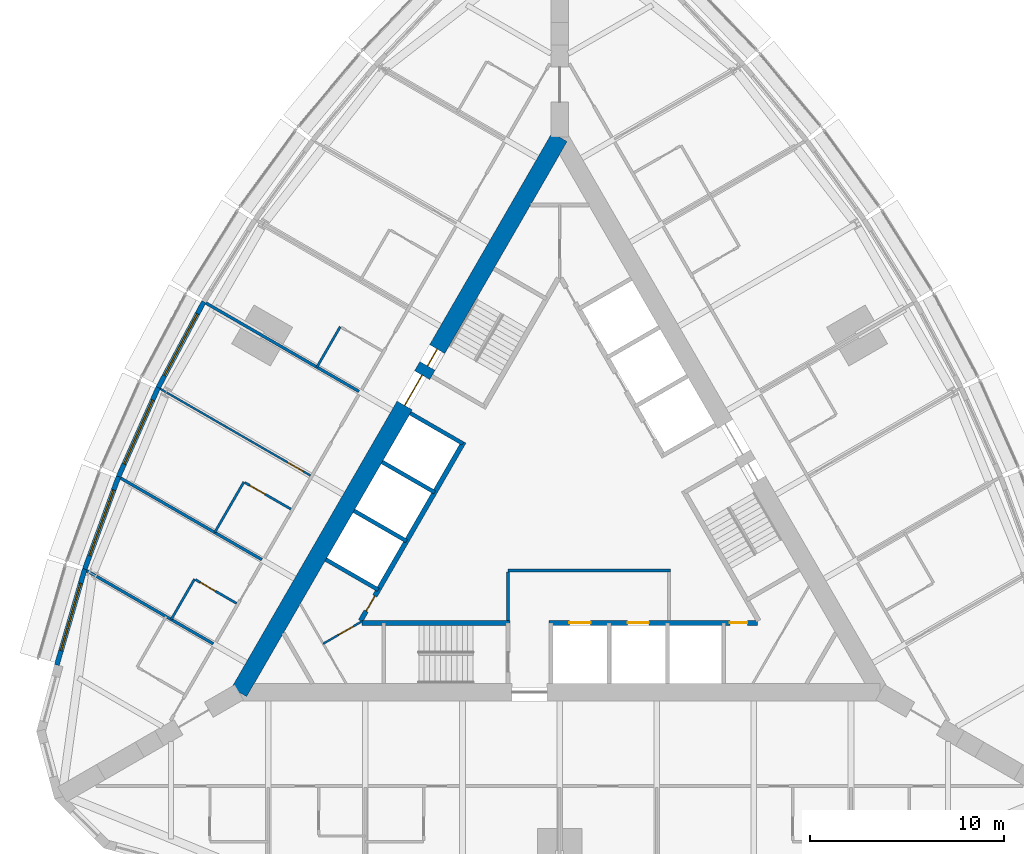
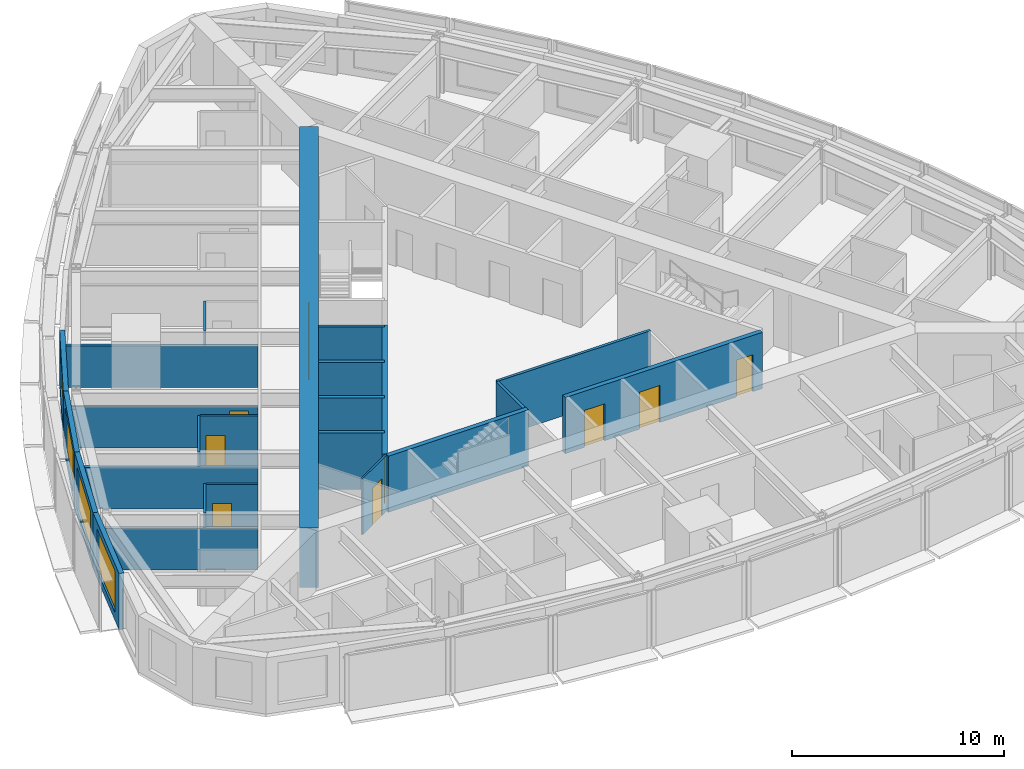
# One storey, part 9 of 14: 24 walls, 10 doors, 4 windows, 14 openings.
"""IFC4 building model written with IfcOpenShell, lengths in metres."""

import ifcopenshell
import ifcopenshell.guid

model = None  # the IFC model being written
_history = None  # IfcOwnerHistory: only IFC2X3 demands one
_inside = {}  # id of a spatial element -> (the spatial element, [elements in it])
_under = {}  # id of a project, library or spatial element -> (it, [spatial elements below it])
_declared = {}  # id of a project -> (the project, [libraries it declares])
_typed = {}  # id of a type object -> (the type object, [elements of that type])
_made_of = {}  # id of a material, layer set ... -> (it, [elements and type objects made of it])


def new_model(schema):
    """Start an empty IFC model of exactly this schema.

    Asked for "IFC4X3", IfcOpenShell would pick the latest addendum, in which some entities
    have other attributes; the version numbers below select the first issue.
    IFC2X3 requires an IfcOwnerHistory on every rooted entity: one is made here for all.
    """
    global model, _history
    if schema == "IFC4X3":
        model = ifcopenshell.file(schema_version=(4, 3, 0, 0))
    else:
        model = ifcopenshell.file(schema=schema)
    _inside.clear()
    _under.clear()
    _declared.clear()
    _typed.clear()
    _made_of.clear()
    _history = None
    if model.schema == "IFC2X3":
        org = make("IfcOrganization", Name="unknown")
        user = make(
            "IfcPersonAndOrganization",
            ThePerson=make("IfcPerson", FamilyName="unknown"),
            TheOrganization=org,
        )
        app = make(
            "IfcApplication",
            ApplicationDeveloper=org,
            Version="unknown",
            ApplicationFullName="unknown",
            ApplicationIdentifier="unknown",
        )
        _history = make(
            "IfcOwnerHistory",
            OwningUser=user,
            OwningApplication=app,
            ChangeAction="ADDED",
            CreationDate=0,
        )
    return model


def make(cls, **values):
    """One entity of the class cls with the attributes given. An attribute that is None is left unset."""
    return model.create_entity(
        cls, **{name: value for name, value in values.items() if value is not None}
    )


def rooted(cls, **values):
    """An entity with a GlobalId (a new one), such as an element, a storey or a relation."""
    return make(cls, GlobalId=ifcopenshell.guid.new(), OwnerHistory=_history, **values)


def si_unit(unit_type, name, prefix=None):
    """IfcSIUnit, for example si_unit("LENGTHUNIT", "METRE", prefix="MILLI")."""
    return make("IfcSIUnit", UnitType=unit_type, Prefix=prefix, Name=name)


def assignment(units):
    """IfcUnitAssignment: the units of a project."""
    return None if units is None else make("IfcUnitAssignment", Units=units)


def point(xyz):
    """IfcCartesianPoint."""
    return None if xyz is None else make("IfcCartesianPoint", Coordinates=xyz)


def direction(xyz):
    """IfcDirection."""
    return None if xyz is None else make("IfcDirection", DirectionRatios=xyz)


def frame(location, z_axis=None, x_axis=None):
    """IfcAxis2Placement3D, a coordinate frame: its origin and axes. An axis left out is left unset."""
    return make(
        "IfcAxis2Placement3D",
        Location=point(location),
        Axis=direction(z_axis),
        RefDirection=direction(x_axis),
    )


def frame_2d(location, x_axis=None):
    """IfcAxis2Placement2D, a coordinate frame in the plane: its origin and x axis."""
    return make(
        "IfcAxis2Placement2D", Location=point(location), RefDirection=direction(x_axis)
    )


def origin():
    """The frame at (0, 0, 0) with its axes left unset."""
    return frame((0.0, 0.0, 0.0))


def place(relative_to, where):
    """IfcLocalPlacement: puts the frame where relative to a parent placement (None: the world)."""
    return make(
        "IfcLocalPlacement", PlacementRelTo=relative_to, RelativePlacement=where
    )


def context(
    kind, dimensions, precision=None, world=None, true_north=None, identifier=None
):
    """IfcGeometricRepresentationContext, for example the 3D "Model" context."""
    return make(
        "IfcGeometricRepresentationContext",
        ContextIdentifier=identifier,
        ContextType=kind,
        CoordinateSpaceDimension=dimensions,
        Precision=precision,
        WorldCoordinateSystem=world,
        TrueNorth=true_north,
    )


def subcontext(parent, identifier, kind, view, scale=None):
    """IfcGeometricRepresentationSubContext, for example "Body" below "Model"."""
    return make(
        "IfcGeometricRepresentationSubContext",
        ContextIdentifier=identifier,
        ContextType=kind,
        ParentContext=parent,
        TargetScale=scale,
        TargetView=view,
    )


def project(units=None, contexts=None):
    """IfcProject with its units and contexts."""
    return rooted(
        "IfcProject",
        Name="project",
        RepresentationContexts=contexts,
        UnitsInContext=assignment(units),
    )


def spatial(cls, under=None, at=None, **own):
    """A site, building, storey or space (cls), placed at a placement, below another one or the project."""
    s = rooted(cls, ObjectPlacement=at, **own)
    if under is not None:
        _under.setdefault(under.id(), (under, []))[1].append(s)
    return s


def profile(cls, at=None, kind="AREA", **sizes):
    """A parametric profile (cls). Its sizes go by their IFC names, for example OverallWidth=200.0."""
    return make(cls, ProfileType=kind, Position=at, **sizes)


def rectangle(**sizes):
    """IfcRectangleProfileDef."""
    return profile("IfcRectangleProfileDef", **sizes)


def extrude(swept, where, along, depth):
    """IfcExtrudedAreaSolid: the profile swept, set in the frame where, extruded along a direction by depth."""
    return make(
        "IfcExtrudedAreaSolid",
        SweptArea=swept,
        Position=where,
        ExtrudedDirection=direction(along),
        Depth=depth,
    )


def shape(context_of_items, identifier, shape_type, items):
    """IfcShapeRepresentation: the items that make up one representation, for example the "Body"."""
    return make(
        "IfcShapeRepresentation",
        ContextOfItems=context_of_items,
        RepresentationIdentifier=identifier,
        RepresentationType=shape_type,
        Items=items,
    )


def material(Name=None, Category=None):
    """IfcMaterial."""
    return make("IfcMaterial", Name=Name, Category=Category)


def layer(
    of_material, thickness, ventilated=None, Name=None, Category=None, Priority=None
):
    """IfcMaterialLayer: one layer of a wall or slab, of a material (None: an air gap)."""
    return make(
        "IfcMaterialLayer",
        Material=of_material,
        LayerThickness=thickness,
        IsVentilated=ventilated,
        Name=Name,
        Category=Category,
        Priority=Priority,
    )


def layer_set(layers, Name=None):
    """IfcMaterialLayerSet."""
    return make("IfcMaterialLayerSet", MaterialLayers=layers, LayerSetName=Name)


def made_of(thing, what):
    """Note that an element or type object is made of a material, layer set ...; save() writes the relation."""
    if what is not None:
        _made_of.setdefault(what.id(), (what, []))[1].append(thing)
    return thing


def type_object(cls, material=None, **own):
    """A type object (cls), such as IfcWallType, which elements share."""
    return made_of(rooted(cls, **own), material)


def element(
    cls,
    number,
    at=None,
    inside=None,
    cuts=None,
    type_object=None,
    material=None,
    context=None,
    identifier="Body",
    shape_type=None,
    held_by="IfcProductDefinitionShape",
    body=None,
    shapes=None,
    **own,
):
    """One element of the class cls, such as IfcWall. Its Tag is "e" and its number.

    at: its placement. inside: the storey or other place that contains it. cuts: it is an
    opening in that element (IfcRelVoidsElement). A single representation is given by context,
    identifier, shape_type and body (its items); several are given by shapes. held_by: the class
    of the entity that holds the representations. save() writes the other relations.
    """
    e = rooted(cls, Tag="e%d" % number, ObjectPlacement=at, **own)
    if body is not None:
        shapes = [shape(context, identifier, shape_type, body)]
    if shapes is not None:
        e.Representation = make(held_by, Representations=shapes)
    if inside is not None:
        _inside.setdefault(inside.id(), (inside, []))[1].append(e)
    if cuts is not None:
        rooted(
            "IfcRelVoidsElement", RelatingBuildingElement=cuts, RelatedOpeningElement=e
        )
    if type_object is not None:
        _typed.setdefault(type_object.id(), (type_object, []))[1].append(e)
    return made_of(e, material)


def fill(opening, filler):
    """IfcRelFillsElement: the door or window that sits in an opening."""
    return rooted(
        "IfcRelFillsElement",
        RelatingOpeningElement=opening,
        RelatedBuildingElement=filler,
    )


def aggregate(whole, parts):
    """IfcRelAggregates: a whole, such as a stair, and the parts it consists of."""
    return rooted("IfcRelAggregates", RelatingObject=whole, RelatedObjects=parts)


def save(model, path):
    """Write the relations noted so far, then the file.

    IfcRelAggregates (storeys below a building ...), IfcRelContainedInSpatialStructure (elements
    in a storey), IfcRelDefinesByType, IfcRelAssociatesMaterial and IfcRelDeclares: one each for
    every whole, place, type object, material and project.
    """
    for whole, parts in _under.values():
        aggregate(whole, parts)
    for where, things in _inside.values():
        rooted(
            "IfcRelContainedInSpatialStructure",
            RelatedElements=things,
            RelatingStructure=where,
        )
    for kind, things in _typed.values():
        rooted("IfcRelDefinesByType", RelatedObjects=things, RelatingType=kind)
    for what, things in _made_of.values():
        rooted("IfcRelAssociatesMaterial", RelatedObjects=things, RelatingMaterial=what)
    for by, libraries in _declared.values():
        rooted("IfcRelDeclares", RelatingContext=by, RelatedDefinitions=libraries)
    model.write(path)


model = new_model("IFC4")

# Units and contexts
model_context = context("Model", 3, precision=1e-05, world=origin(), true_north=direction((0.0, 1.0)))
body_context = subcontext(model_context, "Body", "Model", "MODEL_VIEW")
ifc_project = project(units=[si_unit("LENGTHUNIT", "METRE"), si_unit("AREAUNIT", "SQUARE_METRE"), si_unit("VOLUMEUNIT", "CUBIC_METRE"), si_unit("PLANEANGLEUNIT", "RADIAN"), si_unit("MASSUNIT", "GRAM", prefix="KILO")], contexts=[model_context])

# Site, building, storey
site_placement = place(None, origin())
site = spatial("IfcSite", under=ifc_project, at=site_placement, CompositionType="ELEMENT")
building_placement = place(site_placement, origin())
building = spatial("IfcBuilding", under=site, at=building_placement, Name="Trikona Tower", CompositionType="ELEMENT")
storey_placement = place(building_placement, frame((0.0, 0.0, 179.300048828125)))
storey = spatial("IfcBuildingStorey", under=building, at=storey_placement, Name="L48", CompositionType="ELEMENT", Elevation=179.300048828125)

# Walls
ifc_material_1 = material(Name="Metal stud and cement board", Category="gypsum")
ifc_layer_1 = layer(ifc_material_1, 0.1201171875)
ifc_layer_set_1 = layer_set([ifc_layer_1], Name="Bathroom wall 120")
wall_type_1 = type_object("IfcWallType", Name="Bathroom wall 120", PredefinedType="PLUMBINGWALL", material=ifc_layer_set_1)
wall_1_placement = place(storey_placement, frame((-11.29345703125, 9.29150390625, 0.0), z_axis=(0.0, 0.0, 1.0), x_axis=(-0.500001309137, -0.866024647952, 0.0)))
element("IfcWall", 1, at=wall_1_placement, inside=storey, type_object=wall_type_1, Name="Bathroom wall 4812", PredefinedType="PLUMBINGWALL", context=body_context, shape_type="SweptSolid", body=[
    extrude(rectangle(XDim=2.39990234375, YDim=0.1201171875, at=frame_2d((1.199951171875, 0.0))), origin(), (0.0, 0.0, 1.0), 3.23486328125),
])
wall_2_placement = place(storey_placement, frame((-16.25341796875, 1.301025390625, 0.0), z_axis=(0.0, 0.0, 1.0), x_axis=(-0.499990139034, -0.866031096941, 0.0)))
element("IfcWall", 2, at=wall_2_placement, inside=storey, type_object=wall_type_1, Name="Bathroom wall 4813.1", PredefinedType="PLUMBINGWALL", context=body_context, shape_type="SweptSolid", body=[
    extrude(rectangle(XDim=3.0, YDim=0.1201171875, at=frame_2d((1.5, 0.0))), origin(), (0.0, 0.0, 1.0), 3.23486328125),
])

# Wall, opening, door
wall_3_placement = place(storey_placement, frame((-13.82861328125, -0.09912109375, 0.0), z_axis=(0.0, 0.0, 1.0), x_axis=(-0.865997131366, 0.500048966069, 0.0)))
wall_3 = element("IfcWall", 3, at=wall_3_placement, inside=storey, type_object=wall_type_1, Name="Bathroom wall 4813.1", PredefinedType="PLUMBINGWALL", context=body_context, shape_type="SweptSolid", body=[
    extrude(rectangle(XDim=2.739990234375, YDim=0.1201171875, at=frame_2d((1.3701171875, 0.0))), origin(), (0.0, 0.0, 1.0), 3.23486328125),
])
opening_1_placement = place(wall_3_placement, frame((1.550048828125, 0.0, 0.0)))
opening_1 = element("IfcOpeningElement", 4, at=opening_1_placement, cuts=wall_3, Name="Opening D2", PredefinedType="OPENING", context=body_context, shape_type="SweptSolid", body=[
    extrude(rectangle(XDim=0.89990234375, YDim=2.1298828125, at=frame_2d((0.449951171875, 1.06494140625))), frame((0.0, 0.070068359375, 0.0), z_axis=(0.0, -1.0, 0.0), x_axis=(1.0, 0.0, 0.0)), (0.0, 0.0, 1.0), 0.14013671875),
])
ifc_material_2 = material(Name="Steel door frame with solid-core timber leaf", Category="steel")
door_type_1 = type_object("IfcDoorType", Name="Bathroom door 900x2130", OperationType="SLIDING_TO_LEFT", PredefinedType="DOOR", material=ifc_material_2)
door_1_placement = place(opening_1_placement, origin())
door_1 = element("IfcDoor", 5, at=door_1_placement, inside=storey, type_object=door_type_1, Name="Bathroom door 4813.1", OperationType="SLIDING_TO_LEFT", OverallHeight=2.1298828125, OverallWidth=0.89990234375, PredefinedType="DOOR", context=body_context, shape_type="SweptSolid", body=[
    extrude(rectangle(XDim=0.89990234375, YDim=2.1298828125, at=frame_2d((0.449951171875, 1.06494140625))), frame((0.0, 0.02490234375, 0.0), z_axis=(0.0, -1.0, 0.0), x_axis=(1.0, 0.0, 0.0)), (0.0, 0.0, 1.0), 0.050048828125),
])
fill(opening_1, door_1)

# Wall
wall_4_placement = place(storey_placement, frame((-18.79345703125, -3.69873046875, 0.0), z_axis=(0.0, 0.0, 1.0), x_axis=(-0.500001309137, -0.866024647952, 0.0)))
element("IfcWall", 6, at=wall_4_placement, inside=storey, type_object=wall_type_1, Name="Bathroom wall 4814", PredefinedType="PLUMBINGWALL", context=body_context, shape_type="SweptSolid", body=[
    extrude(rectangle(XDim=2.39990234375, YDim=0.1201171875, at=frame_2d((1.199951171875, 0.0))), origin(), (0.0, 0.0, 1.0), 3.23486328125),
])

# Wall, opening, door
wall_5_placement = place(storey_placement, frame((-16.62841796875, -4.94873046875, 0.0), z_axis=(0.0, 0.0, 1.0), x_axis=(-0.866048967903, 0.499959183527, 0.0)))
wall_5 = element("IfcWall", 7, at=wall_5_placement, inside=storey, type_object=wall_type_1, Name="Bathroom wall 4814", PredefinedType="PLUMBINGWALL", context=body_context, shape_type="SweptSolid", body=[
    extrude(rectangle(XDim=2.440185546875, YDim=0.1201171875, at=frame_2d((1.22021484375, 0.0))), origin(), (0.0, 0.0, 1.0), 3.23486328125),
])
opening_2_placement = place(wall_5_placement, frame((1.25, 0.0, 0.0)))
opening_2 = element("IfcOpeningElement", 8, at=opening_2_placement, cuts=wall_5, Name="Opening D2", PredefinedType="OPENING", context=body_context, shape_type="SweptSolid", body=[
    extrude(rectangle(XDim=0.89990234375, YDim=2.1298828125, at=frame_2d((0.449951171875, 1.06494140625))), frame((0.0, 0.070068359375, 0.0), z_axis=(0.0, -1.0, 0.0), x_axis=(1.0, 0.0, 0.0)), (0.0, 0.0, 1.0), 0.14013671875),
])
door_2_placement = place(opening_2_placement, origin())
door_2 = element("IfcDoor", 9, at=door_2_placement, inside=storey, type_object=door_type_1, Name="Bathroom door 4814", OperationType="SLIDING_TO_LEFT", OverallHeight=2.1298828125, OverallWidth=0.89990234375, PredefinedType="DOOR", context=body_context, shape_type="SweptSolid", body=[
    extrude(rectangle(XDim=0.89990234375, YDim=2.1298828125, at=frame_2d((0.449951171875, 1.06494140625))), frame((0.0, 0.02490234375, 0.0), z_axis=(0.0, -1.0, 0.0), x_axis=(1.0, 0.0, 0.0)), (0.0, 0.0, 1.0), 0.050048828125),
])
fill(opening_2, door_2)

# Wall, openings, doors
ifc_material_3 = material(Name="Concrete f'c 10000 psi", Category="concrete")
ifc_layer_2 = layer(ifc_material_3, 0.89990234375)
ifc_layer_set_2 = layer_set([ifc_layer_2], Name="Core wall 900")
wall_type_2 = type_object("IfcWallType", Name="Core wall 900", PredefinedType="SHEAR", material=ifc_layer_set_2)
wall_6_placement = place(storey_placement, frame((0.0, 19.052490234375, 0.0), z_axis=(0.0, 0.0, 1.0), x_axis=(-0.499999749417, -0.866025548458, 0.0)))
wall_6 = element("IfcWall", 10, at=wall_6_placement, inside=storey, type_object=wall_type_2, Name="Core wall C", PredefinedType="SHEAR", context=body_context, shape_type="SweptSolid", body=[
    extrude(rectangle(XDim=33.0, YDim=0.89990234375, at=frame_2d((16.5, 0.0))), origin(), (0.0, 0.0, 1.0), 3.39990234375),
])
opening_3_placement = place(wall_6_placement, frame((14.14990234375, 0.0, 0.0)))
opening_3 = element("IfcOpeningElement", 11, at=opening_3_placement, cuts=wall_6, Name="Opening D6", PredefinedType="OPENING", context=body_context, shape_type="SweptSolid", body=[
    extrude(rectangle(XDim=1.800048828125, YDim=2.1298828125, at=frame_2d((0.89990234375, 1.06494140625))), frame((0.0, 0.4599609375, 0.0), z_axis=(0.0, -1.0, 0.0), x_axis=(1.0, 0.0, 0.0)), (0.0, 0.0, 1.0), 0.919921875),
])
opening_4_placement = place(wall_6_placement, frame((12.60009765625, 0.0, 0.0)))
opening_4 = element("IfcOpeningElement", 12, at=opening_4_placement, cuts=wall_6, Name="Opening D5", PredefinedType="OPENING", context=body_context, shape_type="SweptSolid", body=[
    extrude(rectangle(XDim=1.0, YDim=2.1298828125, at=frame_2d((0.5, 1.06494140625))), frame((0.0, 0.4599609375, 0.0), z_axis=(0.0, -1.0, 0.0), x_axis=(1.0, 0.0, 0.0)), (0.0, 0.0, 1.0), 0.919921875),
])
ifc_material_4 = material(Name="Hollow metal door and frame", Category="steel")
door_type_2 = type_object("IfcDoorType", Name="Lobby door pair 1800x2130", OperationType="DOUBLE_DOOR_SINGLE_SWING", PredefinedType="DOOR", material=ifc_material_4)
door_3_placement = place(opening_3_placement, origin())
door_3 = element("IfcDoor", 13, at=door_3_placement, inside=storey, type_object=door_type_2, Name="Lift lobby door C", OperationType="DOUBLE_DOOR_SINGLE_SWING", OverallHeight=2.1298828125, OverallWidth=1.800048828125, PredefinedType="DOOR", context=body_context, shape_type="SweptSolid", body=[
    extrude(rectangle(XDim=1.800048828125, YDim=2.1298828125, at=frame_2d((0.89990234375, 1.06494140625))), frame((0.0, 0.02490234375, 0.0), z_axis=(0.0, -1.0, 0.0), x_axis=(1.0, 0.0, 0.0)), (0.0, 0.0, 1.0), 0.050048828125),
])
fill(opening_3, door_3)
ifc_material_5 = material(Name="Hollow metal door and frame", Category="steel")
door_type_3 = type_object("IfcDoorType", Name="Stair door 1000x2130", OperationType="SINGLE_SWING_LEFT", PredefinedType="DOOR", material=ifc_material_5)
door_4_placement = place(opening_4_placement, origin())
door_4 = element("IfcDoor", 14, at=door_4_placement, inside=storey, type_object=door_type_3, Name="Stair C door", OperationType="SINGLE_SWING_RIGHT", OverallHeight=2.1298828125, OverallWidth=1.0, PredefinedType="DOOR", context=body_context, shape_type="SweptSolid", body=[
    extrude(rectangle(XDim=1.0, YDim=2.1298828125, at=frame_2d((0.5, 1.06494140625))), frame((0.0, 0.02490234375, 0.0), z_axis=(0.0, -1.0, 0.0), x_axis=(1.0, 0.0, 0.0)), (0.0, 0.0, 1.0), 0.050048828125),
])
fill(opening_4, door_4)

# Wall
ifc_material_6 = material(Name="Concrete f'c 8000 psi", Category="concrete")
ifc_layer_3 = layer(ifc_material_6, 0.25)
ifc_layer_set_3 = layer_set([ifc_layer_3], Name="Hub wall 250")
wall_type_3 = type_object("IfcWallType", Name="Hub wall 250", PredefinedType="SOLIDWALL", material=ifc_layer_set_3)
wall_7_placement = place(storey_placement, frame((-10.182861328125, -5.951416015625, 0.0), z_axis=(0.0, 0.0, 1.0), x_axis=(1.0, 0.0, 0.0)))
element("IfcWall", 15, at=wall_7_placement, inside=storey, type_object=wall_type_3, Name="Lift lobby wall A1", PredefinedType="SOLIDWALL", context=body_context, shape_type="SweptSolid", body=[
    extrude(rectangle(XDim=7.6328125, YDim=0.25, at=frame_2d((3.81640625, 0.0))), origin(), (0.0, 0.0, 1.0), 3.23486328125),
])

# Wall, openings, doors
wall_8_placement = place(storey_placement, frame((-0.550048828125, -5.951416015625, 0.0), z_axis=(0.0, 0.0, 1.0), x_axis=(1.0, 0.0, 0.0)))
wall_8 = element("IfcWall", 16, at=wall_8_placement, inside=storey, type_object=wall_type_3, Name="Lift lobby wall A2", PredefinedType="SOLIDWALL", context=body_context, shape_type="SweptSolid", body=[
    extrude(rectangle(XDim=10.73291015625, YDim=0.25, at=frame_2d((5.366455078125, 0.0))), origin(), (0.0, 0.0, 1.0), 3.23486328125),
])
opening_5_placement = place(wall_8_placement, frame((9.31396484375, 0.0, 0.0)))
opening_5 = element("IfcOpeningElement", 17, at=opening_5_placement, cuts=wall_8, Name="Opening D14", PredefinedType="OPENING", context=body_context, shape_type="SweptSolid", body=[
    extrude(rectangle(XDim=0.89990234375, YDim=2.1298828125, at=frame_2d((0.449951171875, 1.06494140625))), frame((0.0, 0.135009765625, 0.0), z_axis=(0.0, -1.0, 0.0), x_axis=(1.0, 0.0, 0.0)), (0.0, 0.0, 1.0), 0.27001953125),
])
opening_6_placement = place(wall_8_placement, frame((1.050048828125, 0.0, 0.0)))
opening_6 = element("IfcOpeningElement", 18, at=opening_6_placement, cuts=wall_8, Name="Opening LD", PredefinedType="OPENING", context=body_context, shape_type="SweptSolid", body=[
    extrude(rectangle(XDim=1.10009765625, YDim=2.1298828125, at=frame_2d((0.550048828125, 1.06494140625))), frame((0.0, 0.135009765625, 0.0), z_axis=(0.0, -1.0, 0.0), x_axis=(1.0, 0.0, 0.0)), (0.0, 0.0, 1.0), 0.27001953125),
])
opening_7_placement = place(wall_8_placement, frame((4.050048828125, 0.0, 0.0)))
opening_7 = element("IfcOpeningElement", 19, at=opening_7_placement, cuts=wall_8, Name="Opening LD", PredefinedType="OPENING", context=body_context, shape_type="SweptSolid", body=[
    extrude(rectangle(XDim=1.10009765625, YDim=2.1298828125, at=frame_2d((0.550048828125, 1.06494140625))), frame((0.0, 0.135009765625, 0.0), z_axis=(0.0, -1.0, 0.0), x_axis=(1.0, 0.0, 0.0)), (0.0, 0.0, 1.0), 0.27001953125),
])
ifc_material_7 = material(Name="Stainless steel lift landing door", Category="steel")
door_type_4 = type_object("IfcDoorType", Name="Lift landing door 1100x2130", OperationType="DOUBLE_DOOR_SLIDING", PredefinedType="USERDEFINED", material=ifc_material_7)
door_5_placement = place(opening_6_placement, origin())
door_5 = element("IfcDoor", 20, at=door_5_placement, inside=storey, type_object=door_type_4, Name="Lift landing door FF1", ObjectType="LIFT LANDING DOOR", OperationType="DOUBLE_DOOR_SLIDING", OverallHeight=2.1298828125, OverallWidth=1.10009765625, PredefinedType="USERDEFINED", context=body_context, shape_type="SweptSolid", body=[
    extrude(rectangle(XDim=1.10009765625, YDim=2.1298828125, at=frame_2d((0.550048828125, 1.06494140625))), frame((0.0, 0.02490234375, 0.0), z_axis=(0.0, -1.0, 0.0), x_axis=(1.0, 0.0, 0.0)), (0.0, 0.0, 1.0), 0.050048828125),
])
fill(opening_6, door_5)
door_6_placement = place(opening_7_placement, origin())
door_6 = element("IfcDoor", 21, at=door_6_placement, inside=storey, type_object=door_type_4, Name="Lift landing door FF2", ObjectType="LIFT LANDING DOOR", OperationType="DOUBLE_DOOR_SLIDING", OverallHeight=2.1298828125, OverallWidth=1.10009765625, PredefinedType="USERDEFINED", context=body_context, shape_type="SweptSolid", body=[
    extrude(rectangle(XDim=1.10009765625, YDim=2.1298828125, at=frame_2d((0.550048828125, 1.06494140625))), frame((0.0, 0.02490234375, 0.0), z_axis=(0.0, -1.0, 0.0), x_axis=(1.0, 0.0, 0.0)), (0.0, 0.0, 1.0), 0.050048828125),
])
fill(opening_7, door_6)
ifc_material_8 = material(Name="Hollow metal door and frame", Category="steel")
door_type_5 = type_object("IfcDoorType", Name="Service room door 900x2130", OperationType="SINGLE_SWING_LEFT", PredefinedType="DOOR", material=ifc_material_8)
door_7_placement = place(opening_5_placement, origin())
door_7 = element("IfcDoor", 22, at=door_7_placement, inside=storey, type_object=door_type_5, Name="Door Ice and vending ICE", OperationType="SINGLE_SWING_RIGHT", OverallHeight=2.1298828125, OverallWidth=0.89990234375, PredefinedType="DOOR", context=body_context, shape_type="SweptSolid", body=[
    extrude(rectangle(XDim=0.89990234375, YDim=2.1298828125, at=frame_2d((0.449951171875, 1.06494140625))), frame((0.0, 0.02490234375, 0.0), z_axis=(0.0, -1.0, 0.0), x_axis=(1.0, 0.0, 0.0)), (0.0, 0.0, 1.0), 0.050048828125),
])
fill(opening_5, door_7)

# Wall, opening, door
wall_9_placement = place(storey_placement, frame((-4.928955078125, 3.365478515625, 0.0), z_axis=(0.0, 0.0, 1.0), x_axis=(-0.499991433582, -0.866030349552, 0.0)))
wall_9 = element("IfcWall", 23, at=wall_9_placement, inside=storey, type_object=wall_type_3, Name="Lift lobby wall C2", PredefinedType="SOLIDWALL", context=body_context, shape_type="SweptSolid", body=[
    extrude(rectangle(XDim=10.633056640625, YDim=0.25, at=frame_2d((5.31640625, 0.0))), origin(), (0.0, 0.0, 1.0), 3.23486328125),
])
opening_8_placement = place(wall_9_placement, frame((9.1640625, 0.0, 0.0)))
opening_8 = element("IfcOpeningElement", 24, at=opening_8_placement, cuts=wall_9, Name="Opening D14", PredefinedType="OPENING", context=body_context, shape_type="SweptSolid", body=[
    extrude(rectangle(XDim=0.89990234375, YDim=2.1298828125, at=frame_2d((0.449951171875, 1.06494140625))), frame((0.0, 0.135009765625, 0.0), z_axis=(0.0, -1.0, 0.0), x_axis=(1.0, 0.0, 0.0)), (0.0, 0.0, 1.0), 0.27001953125),
])
door_8_placement = place(opening_8_placement, origin())
door_8 = element("IfcDoor", 25, at=door_8_placement, inside=storey, type_object=door_type_5, Name="Door Housekeeping store HKS", OperationType="SINGLE_SWING_RIGHT", OverallHeight=2.1298828125, OverallWidth=0.89990234375, PredefinedType="DOOR", context=body_context, shape_type="SweptSolid", body=[
    extrude(rectangle(XDim=0.89990234375, YDim=2.1298828125, at=frame_2d((0.449951171875, 1.06494140625))), frame((0.0, 0.02490234375, 0.0), z_axis=(0.0, -1.0, 0.0), x_axis=(1.0, 0.0, 0.0)), (0.0, 0.0, 1.0), 0.050048828125),
])
fill(opening_8, door_8)

# Wall, opening, window
ifc_material_9 = material(Name="Insulated precast concrete spandrel panel", Category="concrete")
ifc_layer_4 = layer(ifc_material_9, 0.25)
ifc_layer_set_4 = layer_set([ifc_layer_4], Name="Inner skin wall 250")
wall_type_4 = type_object("IfcWallType", Name="Inner skin wall 250", PredefinedType="STANDARD", material=ifc_layer_set_4)
wall_10_placement = place(storey_placement, frame((-18.314453125, 10.578857421875, 0.0), z_axis=(0.0, 0.0, 1.0), x_axis=(-0.469404966864, -0.882982999317, 0.0)))
wall_10 = element("IfcWall", 26, at=wall_10_placement, inside=storey, type_object=wall_type_4, Name="External wall L48-28", PredefinedType="STANDARD", context=body_context, shape_type="SweptSolid", body=[
    extrude(rectangle(XDim=5.0029296875, YDim=0.25, at=frame_2d((2.50146484375, 0.0))), origin(), (0.0, 0.0, 1.0), 3.23486328125),
])
opening_9_placement = place(wall_10_placement, frame((0.701416015625, 0.0, 0.449951171875)))
opening_9 = element("IfcOpeningElement", 27, at=opening_9_placement, cuts=wall_10, Name="Opening W3624", PredefinedType="OPENING", context=body_context, shape_type="SweptSolid", body=[
    extrude(rectangle(XDim=3.60009765625, YDim=2.39990234375, at=frame_2d((1.800048828125, 1.199951171875))), frame((0.0, 0.135009765625, 0.0), z_axis=(0.0, -1.0, 0.0), x_axis=(1.0, 0.0, 0.0)), (0.0, 0.0, 1.0), 0.27001953125),
])
ifc_material_10 = material(Name="Aluminium-framed double glazing", Category="aluminium")
window_type = type_object("IfcWindowType", Name="Window 3600x2400", PartitioningType="SINGLE_PANEL", PredefinedType="WINDOW", material=ifc_material_10)
window_1_placement = place(opening_9_placement, origin())
window_1 = element("IfcWindow", 28, at=window_1_placement, inside=storey, type_object=window_type, Name="Window 4813", OverallHeight=2.39990234375, OverallWidth=3.60009765625, PartitioningType="SINGLE_PANEL", PredefinedType="WINDOW", context=body_context, shape_type="SweptSolid", body=[
    extrude(rectangle(XDim=3.60009765625, YDim=2.39990234375, at=frame_2d((1.800048828125, 1.199951171875))), frame((0.0, 0.030029296875, 0.0), z_axis=(0.0, -1.0, 0.0), x_axis=(1.0, 0.0, 0.0)), (0.0, 0.0, 1.0), 0.06005859375),
])
fill(opening_9, window_1)

wall_11_placement = place(storey_placement, frame((-20.6591796875, 6.169189453125, 0.0), z_axis=(0.0, 0.0, 1.0), x_axis=(-0.406832200364, -0.913502906808, 0.0)))
wall_11 = element("IfcWall", 29, at=wall_11_placement, inside=storey, type_object=wall_type_4, Name="External wall L48-29", PredefinedType="STANDARD", context=body_context, shape_type="SweptSolid", body=[
    extrude(rectangle(XDim=5.027587890625, YDim=0.25, at=frame_2d((2.513671875, 0.0))), origin(), (0.0, 0.0, 1.0), 3.23486328125),
])
opening_10_placement = place(wall_11_placement, frame((0.713623046875, 0.0, 0.449951171875)))
opening_10 = element("IfcOpeningElement", 30, at=opening_10_placement, cuts=wall_11, Name="Opening W3624", PredefinedType="OPENING", context=body_context, shape_type="SweptSolid", body=[
    extrude(rectangle(XDim=3.60009765625, YDim=2.39990234375, at=frame_2d((1.800048828125, 1.199951171875))), frame((0.0, 0.135009765625, 0.0), z_axis=(0.0, -1.0, 0.0), x_axis=(1.0, 0.0, 0.0)), (0.0, 0.0, 1.0), 0.27001953125),
])
window_2_placement = place(opening_10_placement, origin())
window_2 = element("IfcWindow", 31, at=window_2_placement, inside=storey, type_object=window_type, Name="Window 4813.1", OverallHeight=2.39990234375, OverallWidth=3.60009765625, PartitioningType="SINGLE_PANEL", PredefinedType="WINDOW", context=body_context, shape_type="SweptSolid", body=[
    extrude(rectangle(XDim=3.60009765625, YDim=2.39990234375, at=frame_2d((1.800048828125, 1.199951171875))), frame((0.0, 0.030029296875, 0.0), z_axis=(0.0, -1.0, 0.0), x_axis=(1.0, 0.0, 0.0)), (0.0, 0.0, 1.0), 0.06005859375),
])
fill(opening_10, window_2)

wall_12_placement = place(storey_placement, frame((-22.701416015625, 1.58447265625, 0.0), z_axis=(0.0, 0.0, 1.0), x_axis=(-0.343225593282, -0.939252996863, 0.0)))
wall_12 = element("IfcWall", 32, at=wall_12_placement, inside=storey, type_object=wall_type_4, Name="External wall L48-30", PredefinedType="STANDARD", context=body_context, shape_type="SweptSolid", body=[
    extrude(rectangle(XDim=5.075927734375, YDim=0.25, at=frame_2d((2.5380859375, 0.0))), origin(), (0.0, 0.0, 1.0), 3.23486328125),
])
opening_11_placement = place(wall_12_placement, frame((0.738037109375, 0.0, 0.449951171875)))
opening_11 = element("IfcOpeningElement", 33, at=opening_11_placement, cuts=wall_12, Name="Opening W3624", PredefinedType="OPENING", context=body_context, shape_type="SweptSolid", body=[
    extrude(rectangle(XDim=3.60009765625, YDim=2.39990234375, at=frame_2d((1.800048828125, 1.199951171875))), frame((0.0, 0.135009765625, 0.0), z_axis=(0.0, -1.0, 0.0), x_axis=(1.0, 0.0, 0.0)), (0.0, 0.0, 1.0), 0.27001953125),
])
window_3_placement = place(opening_11_placement, origin())
window_3 = element("IfcWindow", 34, at=window_3_placement, inside=storey, type_object=window_type, Name="Window 4814", OverallHeight=2.39990234375, OverallWidth=3.60009765625, PartitioningType="SINGLE_PANEL", PredefinedType="WINDOW", context=body_context, shape_type="SweptSolid", body=[
    extrude(rectangle(XDim=3.60009765625, YDim=2.39990234375, at=frame_2d((1.800048828125, 1.199951171875))), frame((0.0, 0.030029296875, 0.0), z_axis=(0.0, -1.0, 0.0), x_axis=(1.0, 0.0, 0.0)), (0.0, 0.0, 1.0), 0.06005859375),
])
fill(opening_11, window_3)

wall_13_placement = place(storey_placement, frame((-24.44091796875, -3.17529296875, 0.0), z_axis=(0.0, 0.0, 1.0), x_axis=(-0.279528287117, -0.960137457191, 0.0)))
wall_13 = element("IfcWall", 35, at=wall_13_placement, inside=storey, type_object=wall_type_4, Name="External wall L48-31", PredefinedType="STANDARD", context=body_context, shape_type="SweptSolid", body=[
    extrude(rectangle(XDim=5.14794921875, YDim=0.25, at=frame_2d((2.573974609375, 0.0))), origin(), (0.0, 0.0, 1.0), 3.23486328125),
])
opening_12_placement = place(wall_13_placement, frame((0.77392578125, 0.0, 0.449951171875)))
opening_12 = element("IfcOpeningElement", 36, at=opening_12_placement, cuts=wall_13, Name="Opening W3624", PredefinedType="OPENING", context=body_context, shape_type="SweptSolid", body=[
    extrude(rectangle(XDim=3.60009765625, YDim=2.39990234375, at=frame_2d((1.800048828125, 1.199951171875))), frame((0.0, 0.135009765625, 0.0), z_axis=(0.0, -1.0, 0.0), x_axis=(1.0, 0.0, 0.0)), (0.0, 0.0, 1.0), 0.27001953125),
])
window_4_placement = place(opening_12_placement, origin())
window_4 = element("IfcWindow", 37, at=window_4_placement, inside=storey, type_object=window_type, Name="Window 4815", OverallHeight=2.39990234375, OverallWidth=3.60009765625, PartitioningType="SINGLE_PANEL", PredefinedType="WINDOW", context=body_context, shape_type="SweptSolid", body=[
    extrude(rectangle(XDim=3.60009765625, YDim=2.39990234375, at=frame_2d((1.800048828125, 1.199951171875))), frame((0.0, 0.030029296875, 0.0), z_axis=(0.0, -1.0, 0.0), x_axis=(1.0, 0.0, 0.0)), (0.0, 0.0, 1.0), 0.06005859375),
])
fill(opening_12, window_4)

# Walls
ifc_material_11 = material(Name="Metal stud and gypsum board, 2-hour shaft wall", Category="gypsum")
ifc_layer_5 = layer(ifc_material_11, 0.14990234375)
ifc_layer_set_5 = layer_set([ifc_layer_5], Name="Lobby wall 150")
wall_type_5 = type_object("IfcWallType", Name="Lobby wall 150", PredefinedType="PARTITIONING", material=ifc_layer_set_5)
wall_14_placement = place(storey_placement, frame((-2.64990234375, -3.251220703125, 0.0), z_axis=(0.0, 0.0, 1.0), x_axis=(1.0, 0.0, 0.0)))
element("IfcWall", 38, at=wall_14_placement, inside=storey, type_object=wall_type_5, Name="Fire service lift lobby wall 1", PredefinedType="PARTITIONING", context=body_context, shape_type="SweptSolid", body=[
    extrude(rectangle(XDim=8.349853515625, YDim=0.14990234375, at=frame_2d((4.1748046875, 0.0))), origin(), (0.0, 0.0, 1.0), 3.23486328125),
])
wall_15_placement = place(storey_placement, frame((-2.64990234375, -5.826416015625, 0.0), z_axis=(0.0, 0.0, 1.0), x_axis=(0.0, 1.0, 0.0)))
element("IfcWall", 39, at=wall_15_placement, inside=storey, type_object=wall_type_5, Name="Fire service lift lobby wall 2", PredefinedType="PARTITIONING", context=body_context, shape_type="SweptSolid", body=[
    extrude(rectangle(XDim=2.5, YDim=0.14990234375, at=frame_2d((1.25, 0.0))), origin(), (0.0, 0.0, 1.0), 3.23486328125),
])
ifc_material_12 = material(Name="Metal stud and gypsum board, 1-hour acoustic", Category="gypsum")
ifc_layer_6 = layer(ifc_material_12, 0.14990234375)
ifc_layer_set_6 = layer_set([ifc_layer_6], Name="Party wall 150")
wall_type_6 = type_object("IfcWallType", Name="Party wall 150", PredefinedType="PARTITIONING", material=ifc_layer_set_6)
wall_16_placement = place(storey_placement, frame((-10.32861328125, 5.963134765625, 0.0), z_axis=(0.0, 0.0, 1.0), x_axis=(-0.866025170687, 0.500000403736, 0.0)))
element("IfcWall", 40, at=wall_16_placement, inside=storey, type_object=wall_type_6, Name="Partition L48 F3 u0", PredefinedType="PARTITIONING", context=body_context, shape_type="SweptSolid", body=[
    extrude(rectangle(XDim=9.0986328125, YDim=0.14990234375, at=frame_2d((4.54931640625, 0.0))), origin(), (0.0, 0.0, 1.0), 2.38916015625),
])
wall_17_placement = place(storey_placement, frame((-15.32861328125, -2.697021484375, 0.0), z_axis=(0.0, 0.0, 1.0), x_axis=(-0.866024316602, 0.50000188305, 0.0)))
element("IfcWall", 41, at=wall_17_placement, inside=storey, type_object=wall_type_6, Name="Partition L48 F3 u10", PredefinedType="PARTITIONING", context=body_context, shape_type="SweptSolid", body=[
    extrude(rectangle(XDim=8.39501953125, YDim=0.14990234375, at=frame_2d((4.197509765625, 0.0))), origin(), (0.0, 0.0, 1.0), 2.38916015625),
])
wall_18_placement = place(storey_placement, frame((-17.82861328125, -7.027099609375, 0.0), z_axis=(0.0, 0.0, 1.0), x_axis=(-0.866029804378, 0.499992377871, 0.0)))
element("IfcWall", 42, at=wall_18_placement, inside=storey, type_object=wall_type_6, Name="Partition L48 F3 u15", PredefinedType="PARTITIONING", context=body_context, shape_type="SweptSolid", body=[
    extrude(rectangle(XDim=7.51611328125, YDim=0.14990234375, at=frame_2d((3.758056640625, 0.0))), origin(), (0.0, 0.0, 1.0), 2.38916015625),
])
ifc_material_13 = material(Name="Concrete f'c 8000 psi", Category="concrete")
ifc_layer_7 = layer(ifc_material_13, 0.199951171875)
ifc_layer_set_7 = layer_set([ifc_layer_7], Name="Shaft wall 200")
wall_type_7 = type_object("IfcWallType", Name="Shaft wall 200", PredefinedType="SOLIDWALL", material=ifc_layer_set_7)
for number, where, z_axis, x_axis, name in (
    (43, (-4.97900390625, 3.27880859375, 0.0), (0.0, 0.0, 1.0), (-0.866022959057, 0.500004234368, 0.0), "Shaft wall C3"),
    (44, (-6.428955078125, 0.767333984375, 0.0), (0.0, 0.0, 1.0), (-0.866022959057, 0.500004234368, 0.0), "Shaft wall C4"),
    (45, (-7.87890625, -1.744140625, 0.0), (0.0, 0.0, 1.0), (-0.866022959057, 0.500004234368, 0.0), "Shaft wall C5"),
    (46, (-9.3291015625, -4.255615234375, 0.0), (0.0, 0.0, 1.0), (-0.866022959057, 0.500004234368, 0.0), "Shaft wall C6"),
):
    element("IfcWall", number, at=place(storey_placement, frame(where, z_axis=z_axis, x_axis=x_axis)), inside=storey, type_object=wall_type_7, Name=name, PredefinedType="SOLIDWALL", context=body_context, shape_type="SweptSolid", body=[
        extrude(rectangle(XDim=3.125, YDim=0.199951171875, at=frame_2d((1.5625, 0.0))), origin(), (0.0, 0.0, 1.0), 3.23486328125),
    ])

# Wall, opening, door
ifc_material_14 = material(Name="Metal stud and gypsum board, acoustic", Category="gypsum")
ifc_layer_8 = layer(ifc_material_14, 0.10009765625)
ifc_layer_set_8 = layer_set([ifc_layer_8], Name="Suite partition 100")
wall_type_8 = type_object("IfcWallType", Name="Suite partition 100", PredefinedType="PARTITIONING", material=ifc_layer_set_8)
wall_19_placement = place(storey_placement, frame((-12.82861328125, 1.633056640625, 0.0), z_axis=(0.0, 0.0, 1.0), x_axis=(-0.866027015393, 0.499997208602, 0.0)))
wall_19 = element("IfcWall", 47, at=wall_19_placement, inside=storey, type_object=wall_type_8, Name="Suite partition L48 F3 u5", PredefinedType="PARTITIONING", context=body_context, shape_type="SweptSolid", body=[
    extrude(rectangle(XDim=8.92236328125, YDim=0.10009765625, at=frame_2d((4.461181640625, 0.0))), origin(), (0.0, 0.0, 1.0), 2.38916015625),
])
opening_13_placement = place(wall_19_placement, frame((0.449951171875, 0.0, 0.0)))
opening_13 = element("IfcOpeningElement", 48, at=opening_13_placement, cuts=wall_19, Name="Opening D13", PredefinedType="OPENING", context=body_context, shape_type="SweptSolid", body=[
    extrude(rectangle(XDim=0.89990234375, YDim=2.1298828125, at=frame_2d((0.449951171875, 1.06494140625))), frame((0.0, 0.06005859375, 0.0), z_axis=(0.0, -1.0, 0.0), x_axis=(1.0, 0.0, 0.0)), (0.0, 0.0, 1.0), 0.1201171875),
])
ifc_material_15 = material(Name="Steel door frame with solid-core timber leaf", Category="steel")
door_type_6 = type_object("IfcDoorType", Name="Suite door 900x2130", OperationType="SINGLE_SWING_LEFT", PredefinedType="DOOR", material=ifc_material_15)
door_9_placement = place(opening_13_placement, origin())
door_9 = element("IfcDoor", 49, at=door_9_placement, inside=storey, type_object=door_type_6, Name="Suite door 4813", OperationType="SINGLE_SWING_LEFT", OverallHeight=2.1298828125, OverallWidth=0.89990234375, PredefinedType="DOOR", context=body_context, shape_type="SweptSolid", body=[
    extrude(rectangle(XDim=0.89990234375, YDim=2.1298828125, at=frame_2d((0.449951171875, 1.06494140625))), frame((0.0, 0.02490234375, 0.0), z_axis=(0.0, -1.0, 0.0), x_axis=(1.0, 0.0, 0.0)), (0.0, 0.0, 1.0), 0.050048828125),
])
fill(opening_13, door_9)

wall_20_placement = place(storey_placement, frame((-12.169921875, -7.0263671875, 0.0), z_axis=(0.0, 0.0, 1.0), x_axis=(0.866015833478, 0.50001657589, 0.0)))
wall_20 = element("IfcWall", 50, at=wall_20_placement, inside=storey, type_object=wall_type_8, Name="Store partition L48-RS3", PredefinedType="PARTITIONING", context=body_context, shape_type="SweptSolid", body=[
    extrude(rectangle(XDim=2.275390625, YDim=0.10009765625, at=frame_2d((1.1376953125, 0.0))), origin(), (0.0, 0.0, 1.0), 3.23486328125),
])
opening_14_placement = place(wall_20_placement, frame((0.9150390625, 0.0, 0.0)))
opening_14 = element("IfcOpeningElement", 51, at=opening_14_placement, cuts=wall_20, Name="Opening D15", PredefinedType="OPENING", context=body_context, shape_type="SweptSolid", body=[
    extrude(rectangle(XDim=0.89990234375, YDim=2.1298828125, at=frame_2d((0.449951171875, 1.06494140625))), frame((0.0, 0.06005859375, 0.0), z_axis=(0.0, -1.0, 0.0), x_axis=(1.0, 0.0, 0.0)), (0.0, 0.0, 1.0), 0.1201171875),
])
ifc_material_16 = material(Name="Steel door frame with solid-core timber leaf", Category="steel")
door_type_7 = type_object("IfcDoorType", Name="Store door 900x2130", OperationType="SINGLE_SWING_LEFT", PredefinedType="DOOR", material=ifc_material_16)
door_10_placement = place(opening_14_placement, origin())
door_10 = element("IfcDoor", 52, at=door_10_placement, inside=storey, type_object=door_type_7, Name="Door Luggage store LUG", OperationType="SINGLE_SWING_RIGHT", OverallHeight=2.1298828125, OverallWidth=0.89990234375, PredefinedType="DOOR", context=body_context, shape_type="SweptSolid", body=[
    extrude(rectangle(XDim=0.89990234375, YDim=2.1298828125, at=frame_2d((0.449951171875, 1.06494140625))), frame((0.0, 0.02490234375, 0.0), z_axis=(0.0, -1.0, 0.0), x_axis=(1.0, 0.0, 0.0)), (0.0, 0.0, 1.0), 0.050048828125),
])
fill(opening_14, door_10)

save(model, "model.ifc")
